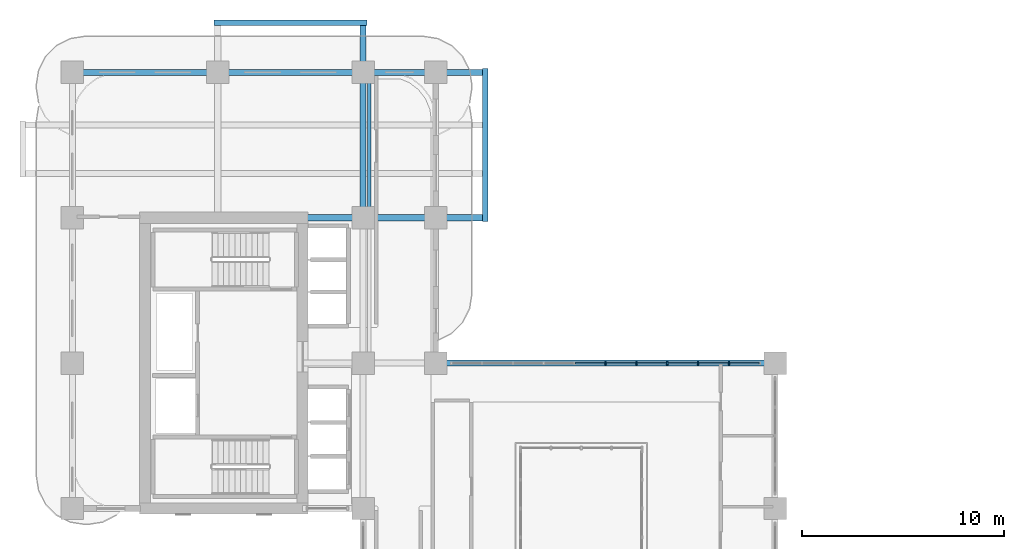
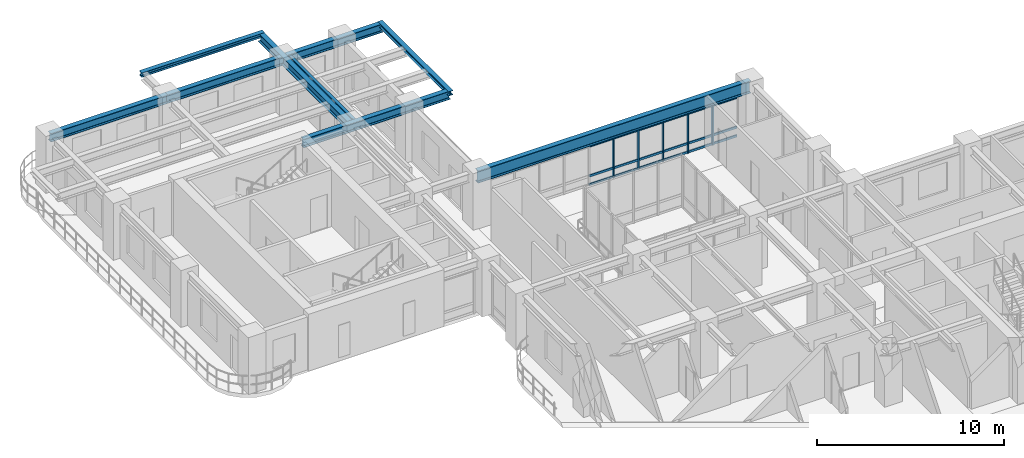
# One storey, part 7 of 22: 23 members, 8 beams, 1 element without a shape of its own.
"""IFC4 building model written with IfcOpenShell, lengths in metres."""

from ifc_helpers import new_model, si_unit, derived_unit, direction, frame, origin, origin_2d, place, context, subcontext, project, spatial, rectangle, i_section, extrude, source, transform, mapped, material, layer, layer_set, material_profile, profile_set, type_object, type_shapes, element, aggregate, save


model = new_model("IFC4")

# Units and contexts
model_context = context("Model", 3, precision=1e-05, world=origin(), true_north=direction((0.0, 1.0)))
body_context = subcontext(model_context, "Body", "Model", "MODEL_VIEW")
ifc_project = project(units=[si_unit("LENGTHUNIT", "METRE"), si_unit("AREAUNIT", "SQUARE_METRE"), si_unit("VOLUMEUNIT", "CUBIC_METRE"), si_unit("PLANEANGLEUNIT", "RADIAN"), si_unit("MASSUNIT", "GRAM", prefix="KILO"), si_unit("THERMODYNAMICTEMPERATUREUNIT", "KELVIN"), si_unit("POWERUNIT", "WATT"), derived_unit("THERMALTRANSMITTANCEUNIT", [(si_unit("POWERUNIT", "WATT"), 1), (si_unit("AREAUNIT", "SQUARE_METRE"), -1), (si_unit("THERMODYNAMICTEMPERATUREUNIT", "KELVIN"), -1)])], contexts=[model_context])

# Site, building, storey
site_placement = place(None, origin())
site = spatial("IfcSite", under=ifc_project, at=site_placement, CompositionType="ELEMENT")
building_placement = place(site_placement, origin())
building = spatial("IfcBuilding", under=site, at=building_placement, Name="Zahravan Archway Hotel and Residences", CompositionType="ELEMENT")
storey_placement = place(building_placement, frame((0.0, 0.0, 95.300048828125)))
storey = spatial("IfcBuildingStorey", under=building, at=storey_placement, Name="L23", CompositionType="ELEMENT", Elevation=95.300048828125)

# Beams
ifc_material_1 = material(Name="Structural Steel S355JR", Category="steel")
ifc_material_profile_1 = material_profile(ifc_material_1, i_section(OverallWidth=0.280029296875, OverallDepth=0.280029296875, WebThickness=0.010498046875, FlangeThickness=0.01806640625, FilletRadius=0.02392578125, at=origin_2d()), Name="HEB 280", Category="steel")
ifc_profile_set_1 = profile_set([ifc_material_profile_1], Name="Structural Steel S355JR")
beam_type_1 = type_object("IfcBeamType", Name="BM-SPN-HEB280", PredefinedType="SPANDREL", material=ifc_profile_set_1)
shared_shape_1 = source(origin(), body_context, "Body", "SweptSolid", [
    extrude(i_section(OverallWidth=0.280029296875, OverallDepth=0.280029296875, WebThickness=0.010498046875, FlangeThickness=0.01806640625, FilletRadius=0.02392578125, at=origin_2d()), origin(), (0.0, 0.0, 1.0), 7.56005859375),
])
type_shapes(beam_type_1, [shared_shape_1])
for number, where, z_axis, x_axis, name in (
    (1, (20.449951171875, 39.419921875, 3.31005859375), (0.0, 1.0, 0.0), (-1.0, 0.0, 0.0), "L24 EB Balcony Edge Spandrel"),
    (2, (7.02001953125, 49.25, 3.31005859375), (1.0, 0.0, 0.0), (0.0, 1.0, 0.0), "L24 NB Balcony Edge Spandrel"),
):
    element("IfcBeam", number, at=place(storey_placement, frame(where, z_axis=z_axis, x_axis=x_axis)), inside=storey, type_object=beam_type_1, Name=name, PredefinedType="SPANDREL", context=body_context, shape_type="MappedRepresentation", body=[
        mapped(shared_shape_1, transform((0.0, 0.0, 0.0), scale=1.0)),
    ])
ifc_material_profile_2 = material_profile(ifc_material_1, i_section(OverallWidth=0.300048828125, OverallDepth=0.550048828125, WebThickness=0.014892578125, FlangeThickness=0.029052734375, FilletRadius=0.027099609375, at=origin_2d()), Name="HEB 550", Category="steel")
ifc_profile_set_2 = profile_set([ifc_material_profile_2], Name="Structural Steel S355JR")
beam_type_2 = type_object("IfcBeamType", Name="BM-PRI-HEB550", PredefinedType="BEAM", material=ifc_profile_set_2)
shared_shape_2 = source(origin(), body_context, "Body", "SweptSolid", [
    extrude(i_section(OverallWidth=0.300048828125, OverallDepth=0.550048828125, WebThickness=0.014892578125, FlangeThickness=0.029052734375, FilletRadius=0.027099609375, at=origin_2d()), origin(), (0.0, 0.0, 1.0), 7.199951171875),
])
beam_1_placement = place(storey_placement, frame((0.0, 46.800048828125, 3.175048828125), z_axis=(1.0, 0.0, 0.0), x_axis=(0.0, 1.0, 0.0)))
element("IfcBeam", 3, at=beam_1_placement, inside=storey, type_object=beam_type_2, Name="L23 Primary Girder EW-24", PredefinedType="BEAM", context=body_context, shape_type="MappedRepresentation", body=[
    mapped(shared_shape_2, transform((0.0, 0.0, 0.0), scale=1.0)),
])
shared_shape_3 = source(origin(), body_context, "Body", "SweptSolid", [
    extrude(i_section(OverallWidth=0.300048828125, OverallDepth=0.550048828125, WebThickness=0.014892578125, FlangeThickness=0.029052734375, FilletRadius=0.027099609375, at=origin_2d()), origin(), (0.0, 0.0, 1.0), 9.050048828125),
])
beam_2_placement = place(storey_placement, frame((11.39990234375, 39.60009765625, 3.175048828125), z_axis=(1.0, 0.0, 0.0), x_axis=(0.0, 1.0, 0.0)))
element("IfcBeam", 4, at=beam_2_placement, inside=storey, type_object=beam_type_2, Name="L23 Primary Girder EW-23", PredefinedType="BEAM", context=body_context, shape_type="MappedRepresentation", body=[
    mapped(shared_shape_3, transform((0.0, 0.0, 0.0), scale=1.0)),
])
shared_shape_4 = source(origin(), body_context, "Body", "SweptSolid", [
    extrude(i_section(OverallWidth=0.300048828125, OverallDepth=0.550048828125, WebThickness=0.014892578125, FlangeThickness=0.029052734375, FilletRadius=0.027099609375, at=origin_2d()), origin(), (0.0, 0.0, 1.0), 13.25),
])
beam_3_placement = place(storey_placement, frame((7.199951171875, 46.800048828125, 3.175048828125), z_axis=(1.0, 0.0, 0.0), x_axis=(0.0, 1.0, 0.0)))
element("IfcBeam", 5, at=beam_3_placement, inside=storey, type_object=beam_type_2, Name="L23 Primary Girder EW-25", PredefinedType="BEAM", context=body_context, shape_type="MappedRepresentation", body=[
    mapped(shared_shape_4, transform((0.0, 0.0, 0.0), scale=1.0)),
])
shared_shape_5 = source(origin(), body_context, "Body", "SweptSolid", [
    extrude(i_section(OverallWidth=0.300048828125, OverallDepth=0.550048828125, WebThickness=0.014892578125, FlangeThickness=0.029052734375, FilletRadius=0.027099609375, at=origin_2d()), origin(), (0.0, 0.0, 1.0), 9.64990234375),
])
beam_4_placement = place(storey_placement, frame((14.39990234375, 39.60009765625, 3.175048828125), z_axis=(0.0, 1.0, 0.0), x_axis=(-1.0, 0.0, 0.0)))
element("IfcBeam", 6, at=beam_4_placement, inside=storey, type_object=beam_type_2, Name="L23 Primary Girder NS-38", PredefinedType="BEAM", context=body_context, shape_type="MappedRepresentation", body=[
    mapped(shared_shape_5, transform((0.0, 0.0, 0.0), scale=1.0)),
])
ifc_material_2 = material(Name="Structural Steel S355J2", Category="steel")
ifc_material_profile_3 = material_profile(ifc_material_2, i_section(OverallWidth=0.300048828125, OverallDepth=0.800048828125, WebThickness=0.017578125, FlangeThickness=0.032958984375, FilletRadius=0.030029296875, at=origin_2d()), Name="HEB 800", Category="steel")
ifc_profile_set_3 = profile_set([ifc_material_profile_3], Name="Structural Steel S355J2")
beam_type_3 = type_object("IfcBeamType", Name="BM-PRI-HEB800", PredefinedType="BEAM", material=ifc_profile_set_3)
shared_shape_6 = source(origin(), body_context, "Body", "SweptSolid", [
    extrude(i_section(OverallWidth=0.300048828125, OverallDepth=0.800048828125, WebThickness=0.017578125, FlangeThickness=0.032958984375, FilletRadius=0.030029296875, at=origin_2d()), origin(), (0.0, 0.0, 1.0), 16.800048828125),
])
type_shapes(beam_type_3, [shared_shape_6])
beam_5_placement = place(storey_placement, frame((18.0, 32.39990234375, 3.050048828125), z_axis=(1.0, 0.0, 0.0), x_axis=(0.0, 1.0, 0.0)))
element("IfcBeam", 7, at=beam_5_placement, inside=storey, type_object=beam_type_3, Name="L23 Primary Girder EW-22", PredefinedType="BEAM", context=body_context, shape_type="MappedRepresentation", body=[
    mapped(shared_shape_6, transform((0.0, 0.0, 0.0), scale=1.0)),
])
ifc_material_profile_4 = material_profile(ifc_material_1, i_section(OverallWidth=0.169921875, OverallDepth=0.360107421875, WebThickness=0.008056640625, FlangeThickness=0.0126953125, FilletRadius=0.01806640625, at=origin_2d()), Name="IPE 360", Category="steel")
ifc_profile_set_4 = profile_set([ifc_material_profile_4], Name="Structural Steel S355JR")
beam_type_4 = type_object("IfcBeamType", Name="BM-JST-IPE360", PredefinedType="JOIST", material=ifc_profile_set_4)
shared_shape_7 = source(origin(), body_context, "Body", "SweptSolid", [
    extrude(i_section(OverallWidth=0.169921875, OverallDepth=0.360107421875, WebThickness=0.008056640625, FlangeThickness=0.0126953125, FilletRadius=0.01806640625, at=origin_2d()), origin(), (0.0, 0.0, 1.0), 6.904052734375),
])
type_shapes(beam_type_4, [shared_shape_7])
beam_6_placement = place(storey_placement, frame((14.699951171875, 39.748046875, 3.27001953125), z_axis=(0.0, 1.0, 0.0), x_axis=(-1.0, 0.0, 0.0)))
element("IfcBeam", 8, at=beam_6_placement, inside=storey, type_object=beam_type_4, Name="L23 Composite Floor Joist 14", PredefinedType="JOIST", context=body_context, shape_type="MappedRepresentation", body=[
    mapped(shared_shape_7, transform((0.0, 0.0, 0.0), scale=1.0)),
])

# Curtain wall, members
ifc_material_3 = material(Name="Bronze-Anodized Unitised Aluminium & Low-E Glass", Category="aluminium")
ifc_layer = layer(ifc_material_3, 0.179931640625, Name="Bronze-Anodized Unitised Aluminium & Low-E Glass", Category="aluminium")
ifc_layer_set = layer_set([ifc_layer], Name="Bronze-Anodized Unitised Aluminium & Low-E Glass")
curtain_wall_type = type_object("IfcCurtainWallType", Name="CW-ATR-GLAZ", PredefinedType="NOTDEFINED", material=ifc_layer_set)
curtain_wall_placement = place(storey_placement, origin())
curtain_wall = element("IfcCurtainWall", 9, at=curtain_wall_placement, inside=storey, type_object=curtain_wall_type, Name="L23 Curtain Wall CW-L23-HNG-N-1", PredefinedType="NOTDEFINED")
ifc_material_4 = material(Name="Bronze-Anodized Extruded Aluminium", Category="aluminium")
ifc_material_profile_5 = material_profile(ifc_material_4, rectangle(XDim=0.080078125, YDim=0.159912109375, at=origin_2d()), Name="MUL 80x160", Category="aluminium")
ifc_profile_set_5 = profile_set([ifc_material_profile_5], Name="Bronze-Anodized Extruded Aluminium")
member_type_1 = type_object("IfcMemberType", Name="CWM-MUL-160", PredefinedType="MULLION", material=ifc_profile_set_5)
shared_shape_8 = source(origin(), body_context, "Body", "SweptSolid", [
    extrude(rectangle(XDim=0.080078125, YDim=0.159912109375, at=origin_2d()), origin(), (0.0, 0.0, 1.0), 2.635009765625),
])
member_1_placement = place(storey_placement, frame((26.39990234375, 32.39990234375, 0.0), z_axis=(0.0, 0.0, 1.0), x_axis=(1.0, 0.0, 0.0)))
member_1 = element("IfcMember", 10, at=member_1_placement, type_object=member_type_1, Name="CW-L23-HNG-N-1 Mullion 5", PredefinedType="MULLION", context=body_context, shape_type="MappedRepresentation", body=[
    mapped(shared_shape_8, transform((0.0, 0.0, 0.0), scale=1.0)),
])
member_2_placement = place(storey_placement, frame((27.927978515625, 32.39990234375, 0.0), z_axis=(0.0, 0.0, 1.0), x_axis=(1.0, 0.0, 0.0)))
member_2 = element("IfcMember", 11, at=member_2_placement, type_object=member_type_1, Name="CW-L23-HNG-N-1 Mullion 6", PredefinedType="MULLION", context=body_context, shape_type="MappedRepresentation", body=[
    mapped(shared_shape_8, transform((0.0, 0.0, 0.0), scale=1.0)),
])
member_3_placement = place(storey_placement, frame((29.4560546875, 32.39990234375, 0.0), z_axis=(0.0, 0.0, 1.0), x_axis=(1.0, 0.0, 0.0)))
member_3 = element("IfcMember", 12, at=member_3_placement, type_object=member_type_1, Name="CW-L23-HNG-N-1 Mullion 7", PredefinedType="MULLION", context=body_context, shape_type="MappedRepresentation", body=[
    mapped(shared_shape_8, transform((0.0, 0.0, 0.0), scale=1.0)),
])
member_4_placement = place(storey_placement, frame((30.98388671875, 32.39990234375, 0.0), z_axis=(0.0, 0.0, 1.0), x_axis=(1.0, 0.0, 0.0)))
member_4 = element("IfcMember", 13, at=member_4_placement, type_object=member_type_1, Name="CW-L23-HNG-N-1 Mullion 8", PredefinedType="MULLION", context=body_context, shape_type="MappedRepresentation", body=[
    mapped(shared_shape_8, transform((0.0, 0.0, 0.0), scale=1.0)),
])
member_5_placement = place(storey_placement, frame((32.511962890625, 32.39990234375, 0.0), z_axis=(0.0, 0.0, 1.0), x_axis=(1.0, 0.0, 0.0)))
member_5 = element("IfcMember", 14, at=member_5_placement, type_object=member_type_1, Name="CW-L23-HNG-N-1 Mullion 9", PredefinedType="MULLION", context=body_context, shape_type="MappedRepresentation", body=[
    mapped(shared_shape_8, transform((0.0, 0.0, 0.0), scale=1.0)),
])
ifc_material_profile_6 = material_profile(ifc_material_4, rectangle(XDim=0.080078125, YDim=0.139892578125, at=origin_2d()), Name="TRN 80x140", Category="aluminium")
ifc_profile_set_6 = profile_set([ifc_material_profile_6], Name="Bronze-Anodized Extruded Aluminium")
member_type_2 = type_object("IfcMemberType", Name="CWM-TRN-140", PredefinedType="USERDEFINED", material=ifc_profile_set_6)
shared_shape_9 = source(origin(), body_context, "Body", "SweptSolid", [
    extrude(rectangle(XDim=0.080078125, YDim=0.139892578125, at=origin_2d()), origin(), (0.0, 0.0, 1.0), 1.447998046875),
])
member_6_placement = place(storey_placement, frame((24.912109375, 32.39990234375, 0.070068359375), z_axis=(1.0, 0.0, 0.0), x_axis=(0.0, 1.0, 0.0)))
member_6 = element("IfcMember", 15, at=member_6_placement, type_object=member_type_2, Name="CW-L23-HNG-N-1 Transom 4-1", ObjectType="TRANSOM", PredefinedType="USERDEFINED", context=body_context, shape_type="MappedRepresentation", body=[
    mapped(shared_shape_9, transform((0.0, 0.0, 0.0), scale=1.0)),
])
member_7_placement = place(storey_placement, frame((24.912109375, 32.39990234375, 0.63232421875), z_axis=(1.0, 0.0, 0.0), x_axis=(0.0, 1.0, 0.0)))
member_7 = element("IfcMember", 16, at=member_7_placement, type_object=member_type_2, Name="CW-L23-HNG-N-1 Transom 4-2", ObjectType="TRANSOM", PredefinedType="USERDEFINED", context=body_context, shape_type="MappedRepresentation", body=[
    mapped(shared_shape_9, transform((0.0, 0.0, 0.0), scale=1.0)),
])
member_8_placement = place(storey_placement, frame((24.912109375, 32.39990234375, 2.56494140625), z_axis=(1.0, 0.0, 0.0), x_axis=(0.0, 1.0, 0.0)))
member_8 = element("IfcMember", 17, at=member_8_placement, type_object=member_type_2, Name="CW-L23-HNG-N-1 Transom 4-3", ObjectType="TRANSOM", PredefinedType="USERDEFINED", context=body_context, shape_type="MappedRepresentation", body=[
    mapped(shared_shape_9, transform((0.0, 0.0, 0.0), scale=1.0)),
])
member_9_placement = place(storey_placement, frame((26.43994140625, 32.39990234375, 0.070068359375), z_axis=(1.0, 0.0, 0.0), x_axis=(0.0, 1.0, 0.0)))
member_9 = element("IfcMember", 18, at=member_9_placement, type_object=member_type_2, Name="CW-L23-HNG-N-1 Transom 5-1", ObjectType="TRANSOM", PredefinedType="USERDEFINED", context=body_context, shape_type="MappedRepresentation", body=[
    mapped(shared_shape_9, transform((0.0, 0.0, 0.0), scale=1.0)),
])
member_10_placement = place(storey_placement, frame((26.43994140625, 32.39990234375, 0.63232421875), z_axis=(1.0, 0.0, 0.0), x_axis=(0.0, 1.0, 0.0)))
member_10 = element("IfcMember", 19, at=member_10_placement, type_object=member_type_2, Name="CW-L23-HNG-N-1 Transom 5-2", ObjectType="TRANSOM", PredefinedType="USERDEFINED", context=body_context, shape_type="MappedRepresentation", body=[
    mapped(shared_shape_9, transform((0.0, 0.0, 0.0), scale=1.0)),
])
member_11_placement = place(storey_placement, frame((26.43994140625, 32.39990234375, 2.56494140625), z_axis=(1.0, 0.0, 0.0), x_axis=(0.0, 1.0, 0.0)))
member_11 = element("IfcMember", 20, at=member_11_placement, type_object=member_type_2, Name="CW-L23-HNG-N-1 Transom 5-3", ObjectType="TRANSOM", PredefinedType="USERDEFINED", context=body_context, shape_type="MappedRepresentation", body=[
    mapped(shared_shape_9, transform((0.0, 0.0, 0.0), scale=1.0)),
])
member_12_placement = place(storey_placement, frame((27.968017578125, 32.39990234375, 0.070068359375), z_axis=(1.0, 0.0, 0.0), x_axis=(0.0, 1.0, 0.0)))
member_12 = element("IfcMember", 21, at=member_12_placement, type_object=member_type_2, Name="CW-L23-HNG-N-1 Transom 6-1", ObjectType="TRANSOM", PredefinedType="USERDEFINED", context=body_context, shape_type="MappedRepresentation", body=[
    mapped(shared_shape_9, transform((0.0, 0.0, 0.0), scale=1.0)),
])
member_13_placement = place(storey_placement, frame((27.968017578125, 32.39990234375, 0.63232421875), z_axis=(1.0, 0.0, 0.0), x_axis=(0.0, 1.0, 0.0)))
member_13 = element("IfcMember", 22, at=member_13_placement, type_object=member_type_2, Name="CW-L23-HNG-N-1 Transom 6-2", ObjectType="TRANSOM", PredefinedType="USERDEFINED", context=body_context, shape_type="MappedRepresentation", body=[
    mapped(shared_shape_9, transform((0.0, 0.0, 0.0), scale=1.0)),
])
member_14_placement = place(storey_placement, frame((27.968017578125, 32.39990234375, 2.56494140625), z_axis=(1.0, 0.0, 0.0), x_axis=(0.0, 1.0, 0.0)))
member_14 = element("IfcMember", 23, at=member_14_placement, type_object=member_type_2, Name="CW-L23-HNG-N-1 Transom 6-3", ObjectType="TRANSOM", PredefinedType="USERDEFINED", context=body_context, shape_type="MappedRepresentation", body=[
    mapped(shared_shape_9, transform((0.0, 0.0, 0.0), scale=1.0)),
])
member_15_placement = place(storey_placement, frame((29.49609375, 32.39990234375, 0.070068359375), z_axis=(1.0, 0.0, 0.0), x_axis=(0.0, 1.0, 0.0)))
member_15 = element("IfcMember", 24, at=member_15_placement, type_object=member_type_2, Name="CW-L23-HNG-N-1 Transom 7-1", ObjectType="TRANSOM", PredefinedType="USERDEFINED", context=body_context, shape_type="MappedRepresentation", body=[
    mapped(shared_shape_9, transform((0.0, 0.0, 0.0), scale=1.0)),
])
member_16_placement = place(storey_placement, frame((29.49609375, 32.39990234375, 0.63232421875), z_axis=(1.0, 0.0, 0.0), x_axis=(0.0, 1.0, 0.0)))
member_16 = element("IfcMember", 25, at=member_16_placement, type_object=member_type_2, Name="CW-L23-HNG-N-1 Transom 7-2", ObjectType="TRANSOM", PredefinedType="USERDEFINED", context=body_context, shape_type="MappedRepresentation", body=[
    mapped(shared_shape_9, transform((0.0, 0.0, 0.0), scale=1.0)),
])
member_17_placement = place(storey_placement, frame((29.49609375, 32.39990234375, 2.56494140625), z_axis=(1.0, 0.0, 0.0), x_axis=(0.0, 1.0, 0.0)))
member_17 = element("IfcMember", 26, at=member_17_placement, type_object=member_type_2, Name="CW-L23-HNG-N-1 Transom 7-3", ObjectType="TRANSOM", PredefinedType="USERDEFINED", context=body_context, shape_type="MappedRepresentation", body=[
    mapped(shared_shape_9, transform((0.0, 0.0, 0.0), scale=1.0)),
])
member_18_placement = place(storey_placement, frame((31.02392578125, 32.39990234375, 0.070068359375), z_axis=(1.0, 0.0, 0.0), x_axis=(0.0, 1.0, 0.0)))
member_18 = element("IfcMember", 27, at=member_18_placement, type_object=member_type_2, Name="CW-L23-HNG-N-1 Transom 8-1", ObjectType="TRANSOM", PredefinedType="USERDEFINED", context=body_context, shape_type="MappedRepresentation", body=[
    mapped(shared_shape_9, transform((0.0, 0.0, 0.0), scale=1.0)),
])
member_19_placement = place(storey_placement, frame((31.02392578125, 32.39990234375, 0.63232421875), z_axis=(1.0, 0.0, 0.0), x_axis=(0.0, 1.0, 0.0)))
member_19 = element("IfcMember", 28, at=member_19_placement, type_object=member_type_2, Name="CW-L23-HNG-N-1 Transom 8-2", ObjectType="TRANSOM", PredefinedType="USERDEFINED", context=body_context, shape_type="MappedRepresentation", body=[
    mapped(shared_shape_9, transform((0.0, 0.0, 0.0), scale=1.0)),
])
member_20_placement = place(storey_placement, frame((31.02392578125, 32.39990234375, 2.56494140625), z_axis=(1.0, 0.0, 0.0), x_axis=(0.0, 1.0, 0.0)))
member_20 = element("IfcMember", 29, at=member_20_placement, type_object=member_type_2, Name="CW-L23-HNG-N-1 Transom 8-3", ObjectType="TRANSOM", PredefinedType="USERDEFINED", context=body_context, shape_type="MappedRepresentation", body=[
    mapped(shared_shape_9, transform((0.0, 0.0, 0.0), scale=1.0)),
])
member_21_placement = place(storey_placement, frame((32.552001953125, 32.39990234375, 0.070068359375), z_axis=(1.0, 0.0, 0.0), x_axis=(0.0, 1.0, 0.0)))
member_21 = element("IfcMember", 30, at=member_21_placement, type_object=member_type_2, Name="CW-L23-HNG-N-1 Transom 9-1", ObjectType="TRANSOM", PredefinedType="USERDEFINED", context=body_context, shape_type="MappedRepresentation", body=[
    mapped(shared_shape_9, transform((0.0, 0.0, 0.0), scale=1.0)),
])
member_22_placement = place(storey_placement, frame((32.552001953125, 32.39990234375, 0.63232421875), z_axis=(1.0, 0.0, 0.0), x_axis=(0.0, 1.0, 0.0)))
member_22 = element("IfcMember", 31, at=member_22_placement, type_object=member_type_2, Name="CW-L23-HNG-N-1 Transom 9-2", ObjectType="TRANSOM", PredefinedType="USERDEFINED", context=body_context, shape_type="MappedRepresentation", body=[
    mapped(shared_shape_9, transform((0.0, 0.0, 0.0), scale=1.0)),
])
member_23_placement = place(storey_placement, frame((32.552001953125, 32.39990234375, 2.56494140625), z_axis=(1.0, 0.0, 0.0), x_axis=(0.0, 1.0, 0.0)))
member_23 = element("IfcMember", 32, at=member_23_placement, type_object=member_type_2, Name="CW-L23-HNG-N-1 Transom 9-3", ObjectType="TRANSOM", PredefinedType="USERDEFINED", context=body_context, shape_type="MappedRepresentation", body=[
    mapped(shared_shape_9, transform((0.0, 0.0, 0.0), scale=1.0)),
])
aggregate(curtain_wall, [member_1, member_2, member_3, member_4, member_5, member_6, member_7, member_8, member_9, member_10, member_11, member_12, member_13, member_14, member_15, member_16, member_17, member_18, member_19, member_20, member_21, member_22, member_23])

save(model, "model.ifc")
